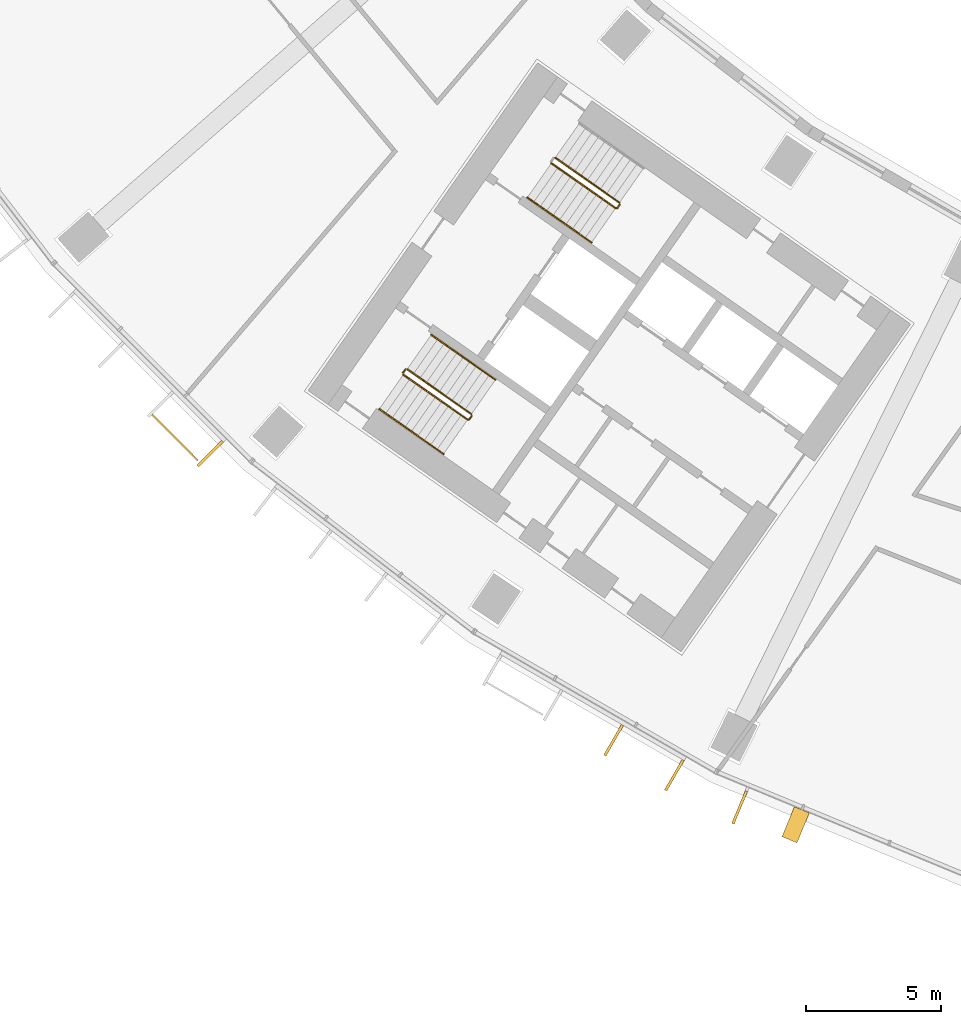
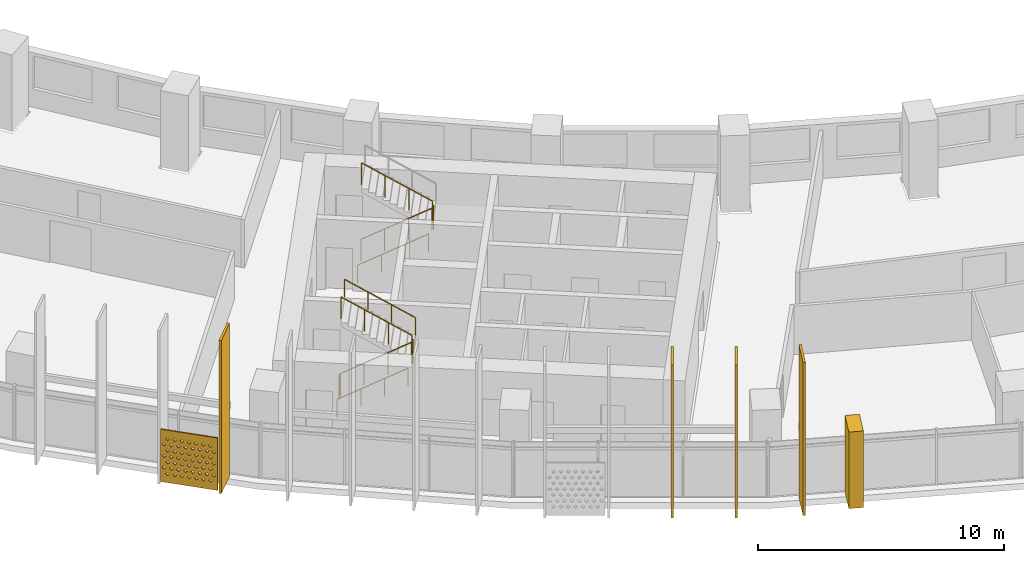
# One storey, part 25 of 33: 8 railings, 6 shading devices.
"""IFC4 building model written with IfcOpenShell, lengths in metres."""

from ifc_helpers import new_model, si_unit, direction, frame, origin, origin_2d, place, context, subcontext, project, spatial, polyline, rectangle, circle, outline, extrude, material, material_profile, profile_set, type_object, element, save


model = new_model("IFC4")

# Units and contexts
model_context = context("Model", 3, precision=1e-05, world=origin(), true_north=direction((0.0, 1.0)))
body_context = subcontext(model_context, "Body", "Model", "MODEL_VIEW")
ifc_project = project(units=[si_unit("LENGTHUNIT", "METRE"), si_unit("AREAUNIT", "SQUARE_METRE"), si_unit("VOLUMEUNIT", "CUBIC_METRE"), si_unit("PLANEANGLEUNIT", "RADIAN"), si_unit("MASSUNIT", "GRAM", prefix="KILO")], contexts=[model_context])

# Site, building, storey
site_placement = place(None, origin())
site = spatial("IfcSite", under=ifc_project, at=site_placement, CompositionType="ELEMENT")
building_placement = place(site_placement, origin())
building = spatial("IfcBuilding", under=site, at=building_placement, Name="Qamariyya Broadcast Tower", CompositionType="ELEMENT")
storey_placement = place(building_placement, frame((0.0, 0.0, 94.89990234375)))
storey = spatial("IfcBuildingStorey", under=building, at=storey_placement, Name="L20", CompositionType="ELEMENT", Elevation=94.89990234375)

# Shading devices
ifc_material_1 = material(Name="Steel S355 powder coated deep red", Category="steel")
shading_device_type_1 = type_object("IfcShadingDeviceType", Name="Deep red frame, powder coated steel box section", PredefinedType="USERDEFINED", material=ifc_material_1)
shading_device_1_placement = place(storey_placement, origin())
element("IfcShadingDevice", 1, at=shading_device_1_placement, inside=storey, type_object=shading_device_type_1, Name="e-frm-B2-F1-posta-L20", ObjectType="FRAME", PredefinedType="USERDEFINED", context=body_context, shape_type="SweptSolid", body=[
    extrude(outline(polyline([(-32.15625, -72.330322265625), (-32.615478515625, -73.43896484375), (-32.06103515625, -73.668701171875), (-31.601806640625, -72.56005859375), (-32.15625, -72.330322265625)])), origin(), (0.0, 0.0, 1.0), 3.800048828125),
])
ifc_material_2 = material(Name="Perforated glazed terracotta", Category="masonry")
ifc_material_profile_1 = material_profile(ifc_material_2, outline(polyline([(-1.199951171875, -1.300048828125), (1.199951171875, -1.300048828125), (1.199951171875, 1.300048828125), (-1.199951171875, 1.300048828125), (-1.199951171875, -1.300048828125)]), holes=[polyline([(-0.81494140625, -0.86669921875), (-0.89990234375, -0.78173828125), (-0.985107421875, -0.86669921875), (-0.89990234375, -0.95166015625), (-0.81494140625, -0.86669921875)]), polyline([(-0.514892578125, -0.86669921875), (-0.60009765625, -0.78173828125), (-0.68505859375, -0.86669921875), (-0.60009765625, -0.95166015625), (-0.514892578125, -0.86669921875)]), polyline([(-0.215087890625, -0.86669921875), (-0.300048828125, -0.78173828125), (-0.385009765625, -0.86669921875), (-0.300048828125, -0.95166015625), (-0.215087890625, -0.86669921875)]), polyline([(0.0849609375, -0.86669921875), (0.0, -0.78173828125), (-0.0849609375, -0.86669921875), (0.0, -0.95166015625), (0.0849609375, -0.86669921875)]), polyline([(0.385009765625, -0.86669921875), (0.300048828125, -0.78173828125), (0.215087890625, -0.86669921875), (0.300048828125, -0.95166015625), (0.385009765625, -0.86669921875)]), polyline([(0.68505859375, -0.86669921875), (0.60009765625, -0.78173828125), (0.514892578125, -0.86669921875), (0.60009765625, -0.95166015625), (0.68505859375, -0.86669921875)]), polyline([(0.985107421875, -0.86669921875), (0.89990234375, -0.78173828125), (0.81494140625, -0.86669921875), (0.89990234375, -0.95166015625), (0.985107421875, -0.86669921875)]), polyline([(-0.965087890625, -0.577880859375), (-1.050048828125, -0.49267578125), (-1.135009765625, -0.577880859375), (-1.050048828125, -0.662841796875), (-0.965087890625, -0.577880859375)]), polyline([(-0.6650390625, -0.577880859375), (-0.75, -0.49267578125), (-0.8349609375, -0.577880859375), (-0.75, -0.662841796875), (-0.6650390625, -0.577880859375)]), polyline([(-0.364990234375, -0.577880859375), (-0.449951171875, -0.49267578125), (-0.534912109375, -0.577880859375), (-0.449951171875, -0.662841796875), (-0.364990234375, -0.577880859375)]), polyline([(-0.06494140625, -0.577880859375), (-0.14990234375, -0.49267578125), (-0.235107421875, -0.577880859375), (-0.14990234375, -0.662841796875), (-0.06494140625, -0.577880859375)]), polyline([(0.235107421875, -0.577880859375), (0.14990234375, -0.49267578125), (0.06494140625, -0.577880859375), (0.14990234375, -0.662841796875), (0.235107421875, -0.577880859375)]), polyline([(0.534912109375, -0.577880859375), (0.449951171875, -0.49267578125), (0.364990234375, -0.577880859375), (0.449951171875, -0.662841796875), (0.534912109375, -0.577880859375)]), polyline([(0.8349609375, -0.577880859375), (0.75, -0.49267578125), (0.6650390625, -0.577880859375), (0.75, -0.662841796875), (0.8349609375, -0.577880859375)]), polyline([(1.135009765625, -0.577880859375), (1.050048828125, -0.49267578125), (0.965087890625, -0.577880859375), (1.050048828125, -0.662841796875), (1.135009765625, -0.577880859375)]), polyline([(-0.81494140625, -0.288818359375), (-0.89990234375, -0.203857421875), (-0.985107421875, -0.288818359375), (-0.89990234375, -0.373779296875), (-0.81494140625, -0.288818359375)]), polyline([(-0.514892578125, -0.288818359375), (-0.60009765625, -0.203857421875), (-0.68505859375, -0.288818359375), (-0.60009765625, -0.373779296875), (-0.514892578125, -0.288818359375)]), polyline([(-0.215087890625, -0.288818359375), (-0.300048828125, -0.203857421875), (-0.385009765625, -0.288818359375), (-0.300048828125, -0.373779296875), (-0.215087890625, -0.288818359375)]), polyline([(0.0849609375, -0.288818359375), (0.0, -0.203857421875), (-0.0849609375, -0.288818359375), (0.0, -0.373779296875), (0.0849609375, -0.288818359375)]), polyline([(0.385009765625, -0.288818359375), (0.300048828125, -0.203857421875), (0.215087890625, -0.288818359375), (0.300048828125, -0.373779296875), (0.385009765625, -0.288818359375)]), polyline([(0.68505859375, -0.288818359375), (0.60009765625, -0.203857421875), (0.514892578125, -0.288818359375), (0.60009765625, -0.373779296875), (0.68505859375, -0.288818359375)]), polyline([(0.985107421875, -0.288818359375), (0.89990234375, -0.203857421875), (0.81494140625, -0.288818359375), (0.89990234375, -0.373779296875), (0.985107421875, -0.288818359375)]), polyline([(-0.965087890625, 0.0), (-1.050048828125, 0.0849609375), (-1.135009765625, 0.0), (-1.050048828125, -0.0849609375), (-0.965087890625, 0.0)]), polyline([(-0.6650390625, 0.0), (-0.75, 0.0849609375), (-0.8349609375, 0.0), (-0.75, -0.0849609375), (-0.6650390625, 0.0)]), polyline([(-0.364990234375, 0.0), (-0.449951171875, 0.0849609375), (-0.534912109375, 0.0), (-0.449951171875, -0.0849609375), (-0.364990234375, 0.0)]), polyline([(-0.06494140625, 0.0), (-0.14990234375, 0.0849609375), (-0.235107421875, 0.0), (-0.14990234375, -0.0849609375), (-0.06494140625, 0.0)]), polyline([(0.235107421875, 0.0), (0.14990234375, 0.0849609375), (0.06494140625, 0.0), (0.14990234375, -0.0849609375), (0.235107421875, 0.0)]), polyline([(0.534912109375, 0.0), (0.449951171875, 0.0849609375), (0.364990234375, 0.0), (0.449951171875, -0.0849609375), (0.534912109375, 0.0)]), polyline([(0.8349609375, 0.0), (0.75, 0.0849609375), (0.6650390625, 0.0), (0.75, -0.0849609375), (0.8349609375, 0.0)]), polyline([(1.135009765625, 0.0), (1.050048828125, 0.0849609375), (0.965087890625, 0.0), (1.050048828125, -0.0849609375), (1.135009765625, 0.0)]), polyline([(-0.81494140625, 0.288818359375), (-0.89990234375, 0.373779296875), (-0.985107421875, 0.288818359375), (-0.89990234375, 0.203857421875), (-0.81494140625, 0.288818359375)]), polyline([(-0.514892578125, 0.288818359375), (-0.60009765625, 0.373779296875), (-0.68505859375, 0.288818359375), (-0.60009765625, 0.203857421875), (-0.514892578125, 0.288818359375)]), polyline([(-0.215087890625, 0.288818359375), (-0.300048828125, 0.373779296875), (-0.385009765625, 0.288818359375), (-0.300048828125, 0.203857421875), (-0.215087890625, 0.288818359375)]), polyline([(0.0849609375, 0.288818359375), (0.0, 0.373779296875), (-0.0849609375, 0.288818359375), (0.0, 0.203857421875), (0.0849609375, 0.288818359375)]), polyline([(0.385009765625, 0.288818359375), (0.300048828125, 0.373779296875), (0.215087890625, 0.288818359375), (0.300048828125, 0.203857421875), (0.385009765625, 0.288818359375)]), polyline([(0.68505859375, 0.288818359375), (0.60009765625, 0.373779296875), (0.514892578125, 0.288818359375), (0.60009765625, 0.203857421875), (0.68505859375, 0.288818359375)]), polyline([(0.985107421875, 0.288818359375), (0.89990234375, 0.373779296875), (0.81494140625, 0.288818359375), (0.89990234375, 0.203857421875), (0.985107421875, 0.288818359375)]), polyline([(-0.965087890625, 0.577880859375), (-1.050048828125, 0.662841796875), (-1.135009765625, 0.577880859375), (-1.050048828125, 0.49267578125), (-0.965087890625, 0.577880859375)]), polyline([(-0.6650390625, 0.577880859375), (-0.75, 0.662841796875), (-0.8349609375, 0.577880859375), (-0.75, 0.49267578125), (-0.6650390625, 0.577880859375)]), polyline([(-0.364990234375, 0.577880859375), (-0.449951171875, 0.662841796875), (-0.534912109375, 0.577880859375), (-0.449951171875, 0.49267578125), (-0.364990234375, 0.577880859375)]), polyline([(-0.06494140625, 0.577880859375), (-0.14990234375, 0.662841796875), (-0.235107421875, 0.577880859375), (-0.14990234375, 0.49267578125), (-0.06494140625, 0.577880859375)]), polyline([(0.235107421875, 0.577880859375), (0.14990234375, 0.662841796875), (0.06494140625, 0.577880859375), (0.14990234375, 0.49267578125), (0.235107421875, 0.577880859375)]), polyline([(0.534912109375, 0.577880859375), (0.449951171875, 0.662841796875), (0.364990234375, 0.577880859375), (0.449951171875, 0.49267578125), (0.534912109375, 0.577880859375)]), polyline([(0.8349609375, 0.577880859375), (0.75, 0.662841796875), (0.6650390625, 0.577880859375), (0.75, 0.49267578125), (0.8349609375, 0.577880859375)]), polyline([(1.135009765625, 0.577880859375), (1.050048828125, 0.662841796875), (0.965087890625, 0.577880859375), (1.050048828125, 0.49267578125), (1.135009765625, 0.577880859375)]), polyline([(-0.81494140625, 0.86669921875), (-0.89990234375, 0.95166015625), (-0.985107421875, 0.86669921875), (-0.89990234375, 0.78173828125), (-0.81494140625, 0.86669921875)]), polyline([(-0.514892578125, 0.86669921875), (-0.60009765625, 0.95166015625), (-0.68505859375, 0.86669921875), (-0.60009765625, 0.78173828125), (-0.514892578125, 0.86669921875)]), polyline([(-0.215087890625, 0.86669921875), (-0.300048828125, 0.95166015625), (-0.385009765625, 0.86669921875), (-0.300048828125, 0.78173828125), (-0.215087890625, 0.86669921875)]), polyline([(0.0849609375, 0.86669921875), (0.0, 0.95166015625), (-0.0849609375, 0.86669921875), (0.0, 0.78173828125), (0.0849609375, 0.86669921875)]), polyline([(0.385009765625, 0.86669921875), (0.300048828125, 0.95166015625), (0.215087890625, 0.86669921875), (0.300048828125, 0.78173828125), (0.385009765625, 0.86669921875)]), polyline([(0.68505859375, 0.86669921875), (0.60009765625, 0.95166015625), (0.514892578125, 0.86669921875), (0.60009765625, 0.78173828125), (0.68505859375, 0.86669921875)]), polyline([(0.985107421875, 0.86669921875), (0.89990234375, 0.95166015625), (0.81494140625, 0.86669921875), (0.89990234375, 0.78173828125), (0.985107421875, 0.86669921875)])]))
ifc_profile_set_1 = profile_set([ifc_material_profile_1], Name="Perforated glazed terracotta")
shading_device_type_2 = type_object("IfcShadingDeviceType", Name="Perforated terracotta screen 2400 x 2600", PredefinedType="USERDEFINED", material=ifc_profile_set_1)
shading_device_2_placement = place(storey_placement, frame((-55.05078125, -58.65234375, 1.35009765625), z_axis=(-0.709141608176, -0.705066081692, 0.0), x_axis=(0.705066081692, -0.709141608176, 0.0)))
element("IfcShadingDevice", 2, at=shading_device_2_placement, inside=storey, type_object=shading_device_type_2, Name="e-scr-L20-03-2", ObjectType="SCREEN", PredefinedType="USERDEFINED", context=body_context, shape_type="SweptSolid", body=[
    extrude(outline(polyline([(-1.199951171875, -1.300048828125), (1.199951171875, -1.300048828125), (1.199951171875, 1.300048828125), (-1.199951171875, 1.300048828125), (-1.199951171875, -1.300048828125)]), holes=[polyline([(-0.81494140625, -0.86669921875), (-0.89990234375, -0.78173828125), (-0.985107421875, -0.86669921875), (-0.89990234375, -0.95166015625), (-0.81494140625, -0.86669921875)]), polyline([(-0.514892578125, -0.86669921875), (-0.60009765625, -0.78173828125), (-0.68505859375, -0.86669921875), (-0.60009765625, -0.95166015625), (-0.514892578125, -0.86669921875)]), polyline([(-0.215087890625, -0.86669921875), (-0.300048828125, -0.78173828125), (-0.385009765625, -0.86669921875), (-0.300048828125, -0.95166015625), (-0.215087890625, -0.86669921875)]), polyline([(0.0849609375, -0.86669921875), (0.0, -0.78173828125), (-0.0849609375, -0.86669921875), (0.0, -0.95166015625), (0.0849609375, -0.86669921875)]), polyline([(0.385009765625, -0.86669921875), (0.300048828125, -0.78173828125), (0.215087890625, -0.86669921875), (0.300048828125, -0.95166015625), (0.385009765625, -0.86669921875)]), polyline([(0.68505859375, -0.86669921875), (0.60009765625, -0.78173828125), (0.514892578125, -0.86669921875), (0.60009765625, -0.95166015625), (0.68505859375, -0.86669921875)]), polyline([(0.985107421875, -0.86669921875), (0.89990234375, -0.78173828125), (0.81494140625, -0.86669921875), (0.89990234375, -0.95166015625), (0.985107421875, -0.86669921875)]), polyline([(-0.965087890625, -0.577880859375), (-1.050048828125, -0.49267578125), (-1.135009765625, -0.577880859375), (-1.050048828125, -0.662841796875), (-0.965087890625, -0.577880859375)]), polyline([(-0.6650390625, -0.577880859375), (-0.75, -0.49267578125), (-0.8349609375, -0.577880859375), (-0.75, -0.662841796875), (-0.6650390625, -0.577880859375)]), polyline([(-0.364990234375, -0.577880859375), (-0.449951171875, -0.49267578125), (-0.534912109375, -0.577880859375), (-0.449951171875, -0.662841796875), (-0.364990234375, -0.577880859375)]), polyline([(-0.06494140625, -0.577880859375), (-0.14990234375, -0.49267578125), (-0.235107421875, -0.577880859375), (-0.14990234375, -0.662841796875), (-0.06494140625, -0.577880859375)]), polyline([(0.235107421875, -0.577880859375), (0.14990234375, -0.49267578125), (0.06494140625, -0.577880859375), (0.14990234375, -0.662841796875), (0.235107421875, -0.577880859375)]), polyline([(0.534912109375, -0.577880859375), (0.449951171875, -0.49267578125), (0.364990234375, -0.577880859375), (0.449951171875, -0.662841796875), (0.534912109375, -0.577880859375)]), polyline([(0.8349609375, -0.577880859375), (0.75, -0.49267578125), (0.6650390625, -0.577880859375), (0.75, -0.662841796875), (0.8349609375, -0.577880859375)]), polyline([(1.135009765625, -0.577880859375), (1.050048828125, -0.49267578125), (0.965087890625, -0.577880859375), (1.050048828125, -0.662841796875), (1.135009765625, -0.577880859375)]), polyline([(-0.81494140625, -0.288818359375), (-0.89990234375, -0.203857421875), (-0.985107421875, -0.288818359375), (-0.89990234375, -0.373779296875), (-0.81494140625, -0.288818359375)]), polyline([(-0.514892578125, -0.288818359375), (-0.60009765625, -0.203857421875), (-0.68505859375, -0.288818359375), (-0.60009765625, -0.373779296875), (-0.514892578125, -0.288818359375)]), polyline([(-0.215087890625, -0.288818359375), (-0.300048828125, -0.203857421875), (-0.385009765625, -0.288818359375), (-0.300048828125, -0.373779296875), (-0.215087890625, -0.288818359375)]), polyline([(0.0849609375, -0.288818359375), (0.0, -0.203857421875), (-0.0849609375, -0.288818359375), (0.0, -0.373779296875), (0.0849609375, -0.288818359375)]), polyline([(0.385009765625, -0.288818359375), (0.300048828125, -0.203857421875), (0.215087890625, -0.288818359375), (0.300048828125, -0.373779296875), (0.385009765625, -0.288818359375)]), polyline([(0.68505859375, -0.288818359375), (0.60009765625, -0.203857421875), (0.514892578125, -0.288818359375), (0.60009765625, -0.373779296875), (0.68505859375, -0.288818359375)]), polyline([(0.985107421875, -0.288818359375), (0.89990234375, -0.203857421875), (0.81494140625, -0.288818359375), (0.89990234375, -0.373779296875), (0.985107421875, -0.288818359375)]), polyline([(-0.965087890625, 0.0), (-1.050048828125, 0.0849609375), (-1.135009765625, 0.0), (-1.050048828125, -0.0849609375), (-0.965087890625, 0.0)]), polyline([(-0.6650390625, 0.0), (-0.75, 0.0849609375), (-0.8349609375, 0.0), (-0.75, -0.0849609375), (-0.6650390625, 0.0)]), polyline([(-0.364990234375, 0.0), (-0.449951171875, 0.0849609375), (-0.534912109375, 0.0), (-0.449951171875, -0.0849609375), (-0.364990234375, 0.0)]), polyline([(-0.06494140625, 0.0), (-0.14990234375, 0.0849609375), (-0.235107421875, 0.0), (-0.14990234375, -0.0849609375), (-0.06494140625, 0.0)]), polyline([(0.235107421875, 0.0), (0.14990234375, 0.0849609375), (0.06494140625, 0.0), (0.14990234375, -0.0849609375), (0.235107421875, 0.0)]), polyline([(0.534912109375, 0.0), (0.449951171875, 0.0849609375), (0.364990234375, 0.0), (0.449951171875, -0.0849609375), (0.534912109375, 0.0)]), polyline([(0.8349609375, 0.0), (0.75, 0.0849609375), (0.6650390625, 0.0), (0.75, -0.0849609375), (0.8349609375, 0.0)]), polyline([(1.135009765625, 0.0), (1.050048828125, 0.0849609375), (0.965087890625, 0.0), (1.050048828125, -0.0849609375), (1.135009765625, 0.0)]), polyline([(-0.81494140625, 0.288818359375), (-0.89990234375, 0.373779296875), (-0.985107421875, 0.288818359375), (-0.89990234375, 0.203857421875), (-0.81494140625, 0.288818359375)]), polyline([(-0.514892578125, 0.288818359375), (-0.60009765625, 0.373779296875), (-0.68505859375, 0.288818359375), (-0.60009765625, 0.203857421875), (-0.514892578125, 0.288818359375)]), polyline([(-0.215087890625, 0.288818359375), (-0.300048828125, 0.373779296875), (-0.385009765625, 0.288818359375), (-0.300048828125, 0.203857421875), (-0.215087890625, 0.288818359375)]), polyline([(0.0849609375, 0.288818359375), (0.0, 0.373779296875), (-0.0849609375, 0.288818359375), (0.0, 0.203857421875), (0.0849609375, 0.288818359375)]), polyline([(0.385009765625, 0.288818359375), (0.300048828125, 0.373779296875), (0.215087890625, 0.288818359375), (0.300048828125, 0.203857421875), (0.385009765625, 0.288818359375)]), polyline([(0.68505859375, 0.288818359375), (0.60009765625, 0.373779296875), (0.514892578125, 0.288818359375), (0.60009765625, 0.203857421875), (0.68505859375, 0.288818359375)]), polyline([(0.985107421875, 0.288818359375), (0.89990234375, 0.373779296875), (0.81494140625, 0.288818359375), (0.89990234375, 0.203857421875), (0.985107421875, 0.288818359375)]), polyline([(-0.965087890625, 0.577880859375), (-1.050048828125, 0.662841796875), (-1.135009765625, 0.577880859375), (-1.050048828125, 0.49267578125), (-0.965087890625, 0.577880859375)]), polyline([(-0.6650390625, 0.577880859375), (-0.75, 0.662841796875), (-0.8349609375, 0.577880859375), (-0.75, 0.49267578125), (-0.6650390625, 0.577880859375)]), polyline([(-0.364990234375, 0.577880859375), (-0.449951171875, 0.662841796875), (-0.534912109375, 0.577880859375), (-0.449951171875, 0.49267578125), (-0.364990234375, 0.577880859375)]), polyline([(-0.06494140625, 0.577880859375), (-0.14990234375, 0.662841796875), (-0.235107421875, 0.577880859375), (-0.14990234375, 0.49267578125), (-0.06494140625, 0.577880859375)]), polyline([(0.235107421875, 0.577880859375), (0.14990234375, 0.662841796875), (0.06494140625, 0.577880859375), (0.14990234375, 0.49267578125), (0.235107421875, 0.577880859375)]), polyline([(0.534912109375, 0.577880859375), (0.449951171875, 0.662841796875), (0.364990234375, 0.577880859375), (0.449951171875, 0.49267578125), (0.534912109375, 0.577880859375)]), polyline([(0.8349609375, 0.577880859375), (0.75, 0.662841796875), (0.6650390625, 0.577880859375), (0.75, 0.49267578125), (0.8349609375, 0.577880859375)]), polyline([(1.135009765625, 0.577880859375), (1.050048828125, 0.662841796875), (0.965087890625, 0.577880859375), (1.050048828125, 0.49267578125), (1.135009765625, 0.577880859375)]), polyline([(-0.81494140625, 0.86669921875), (-0.89990234375, 0.95166015625), (-0.985107421875, 0.86669921875), (-0.89990234375, 0.78173828125), (-0.81494140625, 0.86669921875)]), polyline([(-0.514892578125, 0.86669921875), (-0.60009765625, 0.95166015625), (-0.68505859375, 0.86669921875), (-0.60009765625, 0.78173828125), (-0.514892578125, 0.86669921875)]), polyline([(-0.215087890625, 0.86669921875), (-0.300048828125, 0.95166015625), (-0.385009765625, 0.86669921875), (-0.300048828125, 0.78173828125), (-0.215087890625, 0.86669921875)]), polyline([(0.0849609375, 0.86669921875), (0.0, 0.95166015625), (-0.0849609375, 0.86669921875), (0.0, 0.78173828125), (0.0849609375, 0.86669921875)]), polyline([(0.385009765625, 0.86669921875), (0.300048828125, 0.95166015625), (0.215087890625, 0.86669921875), (0.300048828125, 0.78173828125), (0.385009765625, 0.86669921875)]), polyline([(0.68505859375, 0.86669921875), (0.60009765625, 0.95166015625), (0.514892578125, 0.86669921875), (0.60009765625, 0.78173828125), (0.68505859375, 0.86669921875)]), polyline([(0.985107421875, 0.86669921875), (0.89990234375, 0.95166015625), (0.81494140625, 0.86669921875), (0.89990234375, 0.78173828125), (0.985107421875, 0.86669921875)])]), origin(), (0.0, 0.0, 1.0), 0.059814453125),
])

# Railings
ifc_material_3 = material(Name="Painted steel", Category="steel")
railing_type_1 = type_object("IfcRailingType", Name="Stair guard", PredefinedType="GUARDRAIL", material=ifc_material_3)
railing_1_placement = place(storey_placement, frame((-41.146728515625, -48.52490234375, 0.1728515625)))
element("IfcRailing", 3, at=railing_1_placement, inside=storey, type_object=railing_type_1, Name="L20 ST-W2 stair guard 1", PredefinedType="GUARDRAIL", context=body_context, shape_type="SweptSolid", body=[
    extrude(circle(Radius=0.02392578125, at=origin_2d()), frame((0.0, 0.0, 1.076171875), z_axis=(0.703770094002, -0.492783725636, 0.511734163933), x_axis=(0.573575343427, 0.819152809562, 0.0)), (0.0, 0.0, 1.0), 3.37548828125),
    extrude(circle(Radius=0.02392578125, at=origin_2d()), frame((2.37548828125, -1.663330078125, 2.80322265625), z_axis=(0.985059694769, 0.172213233351, 0.0), x_axis=(-0.172213233351, 0.985059694769, 0.0)), (0.0, 0.0, 1.0), 0.07080078125),
    extrude(circle(Radius=0.02392578125, at=origin_2d()), frame((2.4453125, -1.651123046875, 2.80322265625), z_axis=(0.572588637393, 0.819842821722, 0.0), x_axis=(-0.819842821722, 0.572588637393, 0.0)), (0.0, 0.0, 1.0), 0.150146484375),
    extrude(circle(Radius=0.02099609375, at=origin_2d()), origin(), (0.0, 0.0, 1.0), 1.052001953125),
    extrude(circle(Radius=0.02099609375, at=origin_2d()), frame((0.791748046875, -0.554443359375, 0.57568359375)), (0.0, 0.0, 1.0), 1.052001953125),
    extrude(circle(Radius=0.02099609375, at=origin_2d()), frame((1.583740234375, -1.10888671875, 1.151611328125)), (0.0, 0.0, 1.0), 1.052001953125),
    extrude(circle(Radius=0.02099609375, at=origin_2d()), frame((2.37548828125, -1.663330078125, 1.727294921875)), (0.0, 0.0, 1.0), 1.052001953125),
    extrude(circle(Radius=0.02099609375, at=origin_2d()), frame((2.4453125, -1.651123046875, 1.727294921875)), (0.0, 0.0, 1.0), 1.052001953125),
    extrude(circle(Radius=0.02099609375, at=origin_2d()), frame((2.53125, -1.528076171875, 1.727294921875)), (0.0, 0.0, 1.0), 1.052001953125),
])
railing_2_placement = place(storey_placement, frame((-38.627685546875, -49.9833984375, 2.07275390625)))
element("IfcRailing", 4, at=railing_2_placement, inside=storey, type_object=railing_type_1, Name="L20 ST-W2 stair guard 2", PredefinedType="GUARDRAIL", context=body_context, shape_type="SweptSolid", body=[
    extrude(circle(Radius=0.02392578125, at=origin_2d()), frame((0.0, 0.0, 1.076171875), z_axis=(-0.703770094002, 0.492783725636, 0.511734163933), x_axis=(-0.573575343427, -0.819152809562, 0.0)), (0.0, 0.0, 1.0), 3.37548828125),
    extrude(circle(Radius=0.02099609375, at=origin_2d()), origin(), (0.0, 0.0, 1.0), 1.052001953125),
    extrude(circle(Radius=0.02099609375, at=origin_2d()), frame((-0.791748046875, 0.554443359375, 0.57568359375)), (0.0, 0.0, 1.0), 1.052001953125),
    extrude(circle(Radius=0.02099609375, at=origin_2d()), frame((-1.583740234375, 1.10888671875, 1.151611328125)), (0.0, 0.0, 1.0), 1.052001953125),
    extrude(circle(Radius=0.02099609375, at=origin_2d()), frame((-2.37548828125, 1.663330078125, 1.727294921875)), (0.0, 0.0, 1.0), 1.052001953125),
])
railing_3_placement = place(storey_placement, frame((-46.624267578125, -56.34765625, 0.1728515625)))
element("IfcRailing", 5, at=railing_3_placement, inside=storey, type_object=railing_type_1, Name="L20 ST-W1 stair guard 1", PredefinedType="GUARDRAIL", context=body_context, shape_type="SweptSolid", body=[
    extrude(circle(Radius=0.02392578125, at=origin_2d()), frame((0.0, 0.0, 1.076171875), z_axis=(0.703745009021, -0.492838488332, 0.511715923826), x_axis=(0.573631830683, 0.819113253969, 0.0)), (0.0, 0.0, 1.0), 3.37548828125),
    extrude(circle(Radius=0.02392578125, at=origin_2d()), frame((2.37548828125, -1.66357421875, 2.80322265625), z_axis=(0.984363469884, 0.176149252506, 0.0), x_axis=(-0.176149252506, 0.984363469884, 0.0)), (0.0, 0.0, 1.0), 0.07080078125),
    extrude(circle(Radius=0.02392578125, at=origin_2d()), frame((2.445068359375, -1.651123046875, 2.80322265625), z_axis=(0.574444878118, 0.818543268254, 0.0), x_axis=(-0.818543268254, 0.574444878118, 0.0)), (0.0, 0.0, 1.0), 0.150146484375),
    extrude(circle(Radius=0.02099609375, at=origin_2d()), origin(), (0.0, 0.0, 1.0), 1.052001953125),
    extrude(circle(Radius=0.02099609375, at=origin_2d()), frame((0.791748046875, -0.554443359375, 0.57568359375)), (0.0, 0.0, 1.0), 1.052001953125),
    extrude(circle(Radius=0.02099609375, at=origin_2d()), frame((1.583740234375, -1.109130859375, 1.151611328125)), (0.0, 0.0, 1.0), 1.052001953125),
    extrude(circle(Radius=0.02099609375, at=origin_2d()), frame((2.37548828125, -1.66357421875, 1.727294921875)), (0.0, 0.0, 1.0), 1.052001953125),
    extrude(circle(Radius=0.02099609375, at=origin_2d()), frame((2.445068359375, -1.651123046875, 1.727294921875)), (0.0, 0.0, 1.0), 1.052001953125),
    extrude(circle(Radius=0.02099609375, at=origin_2d()), frame((2.53125, -1.5283203125, 1.727294921875)), (0.0, 0.0, 1.0), 1.052001953125),
])
railing_4_placement = place(storey_placement, frame((-44.10546875, -57.806396484375, 2.07275390625)))
element("IfcRailing", 6, at=railing_4_placement, inside=storey, type_object=railing_type_1, Name="L20 ST-W1 stair guard 2", PredefinedType="GUARDRAIL", context=body_context, shape_type="SweptSolid", body=[
    extrude(circle(Radius=0.02392578125, at=origin_2d()), frame((0.0, 0.0, 1.076171875), z_axis=(-0.703770094002, 0.492783725636, 0.511734163933), x_axis=(-0.573575343427, -0.819152809562, 0.0)), (0.0, 0.0, 1.0), 3.37548828125),
    extrude(circle(Radius=0.02099609375, at=origin_2d()), origin(), (0.0, 0.0, 1.0), 1.052001953125),
    extrude(circle(Radius=0.02099609375, at=origin_2d()), frame((-0.791748046875, 0.554443359375, 0.57568359375)), (0.0, 0.0, 1.0), 1.052001953125),
    extrude(circle(Radius=0.02099609375, at=origin_2d()), frame((-1.583740234375, 1.10888671875, 1.151611328125)), (0.0, 0.0, 1.0), 1.052001953125),
    extrude(circle(Radius=0.02099609375, at=origin_2d()), frame((-2.37548828125, 1.663330078125, 1.727294921875)), (0.0, 0.0, 1.0), 1.052001953125),
])
railing_5_placement = place(storey_placement, frame((-46.63671875, -56.278076171875, 0.0)))
element("IfcRailing", 7, at=railing_5_placement, inside=storey, type_object=railing_type_1, Name="L20 ST-W1 stair guard 3", PredefinedType="GUARDRAIL", context=body_context, shape_type="SweptSolid", body=[
    extrude(circle(Radius=0.02392578125, at=origin_2d()), frame((0.0, 0.0, 1.076171875), z_axis=(0.574444878118, 0.818543268254, 0.0), x_axis=(-0.818543268254, 0.574444878118, 0.0)), (0.0, 0.0, 1.0), 0.150146484375),
    extrude(circle(Radius=0.02099609375, at=origin_2d()), origin(), (0.0, 0.0, 1.0), 1.052001953125),
    extrude(circle(Radius=0.02099609375, at=origin_2d()), frame((0.086181640625, 0.122802734375, 0.0)), (0.0, 0.0, 1.0), 1.052001953125),
])
ifc_material_4 = material(Name="Stainless steel", Category="steel")
railing_type_2 = type_object("IfcRailingType", Name="Stair handrail", PredefinedType="HANDRAIL", material=ifc_material_4)
railing_6_placement = place(storey_placement, frame((-42.03564453125, -49.79443359375, 0.1728515625)))
element("IfcRailing", 8, at=railing_6_placement, inside=storey, type_object=railing_type_2, Name="L20 ST-W2 stair handrail 1", PredefinedType="HANDRAIL", context=body_context, shape_type="SweptSolid", body=[
    extrude(circle(Radius=0.02392578125, at=origin_2d()), frame((0.0, 0.0, 0.8759765625), z_axis=(0.703745009021, -0.492838488332, 0.511715923826), x_axis=(0.573631830683, 0.819113253969, 0.0)), (0.0, 0.0, 1.0), 3.37548828125),
    extrude(circle(Radius=0.02099609375, at=origin_2d()), origin(), (0.0, 0.0, 1.0), 0.851806640625),
    extrude(circle(Radius=0.02099609375, at=origin_2d()), frame((0.791748046875, -0.554443359375, 0.57568359375)), (0.0, 0.0, 1.0), 0.851806640625),
    extrude(circle(Radius=0.02099609375, at=origin_2d()), frame((1.583740234375, -1.109130859375, 1.151611328125)), (0.0, 0.0, 1.0), 0.851806640625),
    extrude(circle(Radius=0.02099609375, at=origin_2d()), frame((2.37548828125, -1.66357421875, 1.727294921875)), (0.0, 0.0, 1.0), 0.851806640625),
])
railing_7_placement = place(storey_placement, frame((-47.513427734375, -57.617431640625, 0.1728515625)))
element("IfcRailing", 9, at=railing_7_placement, inside=storey, type_object=railing_type_2, Name="L20 ST-W1 stair handrail 1", PredefinedType="HANDRAIL", context=body_context, shape_type="SweptSolid", body=[
    extrude(circle(Radius=0.02392578125, at=origin_2d()), frame((0.0, 0.0, 0.8759765625), z_axis=(0.703770094002, -0.492783725636, 0.511734163933), x_axis=(0.573575343427, 0.819152809562, 0.0)), (0.0, 0.0, 1.0), 3.37548828125),
    extrude(circle(Radius=0.02099609375, at=origin_2d()), origin(), (0.0, 0.0, 1.0), 0.851806640625),
    extrude(circle(Radius=0.02099609375, at=origin_2d()), frame((0.791748046875, -0.554443359375, 0.57568359375)), (0.0, 0.0, 1.0), 0.851806640625),
    extrude(circle(Radius=0.02099609375, at=origin_2d()), frame((1.583740234375, -1.10888671875, 1.151611328125)), (0.0, 0.0, 1.0), 0.851806640625),
    extrude(circle(Radius=0.02099609375, at=origin_2d()), frame((2.37548828125, -1.663330078125, 1.727294921875)), (0.0, 0.0, 1.0), 0.851806640625),
])
railing_8_placement = place(storey_placement, frame((-43.21630859375, -56.53662109375, 2.07275390625)))
element("IfcRailing", 10, at=railing_8_placement, inside=storey, type_object=railing_type_2, Name="L20 ST-W1 stair handrail 2", PredefinedType="HANDRAIL", context=body_context, shape_type="SweptSolid", body=[
    extrude(circle(Radius=0.02392578125, at=origin_2d()), frame((0.0, 0.0, 0.8759765625), z_axis=(-0.703770094002, 0.492783725636, 0.511734163933), x_axis=(-0.573575343427, -0.819152809562, 0.0)), (0.0, 0.0, 1.0), 3.37548828125),
    extrude(circle(Radius=0.02099609375, at=origin_2d()), origin(), (0.0, 0.0, 1.0), 0.851806640625),
    extrude(circle(Radius=0.02099609375, at=origin_2d()), frame((-0.791748046875, 0.554443359375, 0.57568359375)), (0.0, 0.0, 1.0), 0.851806640625),
    extrude(circle(Radius=0.02099609375, at=origin_2d()), frame((-1.583740234375, 1.10888671875, 1.151611328125)), (0.0, 0.0, 1.0), 0.851806640625),
    extrude(circle(Radius=0.02099609375, at=origin_2d()), frame((-2.37548828125, 1.663330078125, 1.727294921875)), (0.0, 0.0, 1.0), 0.851806640625),
])

# Shading devices
ifc_material_5 = material(Name="Glazed terracotta", Category="masonry")
ifc_material_profile_2 = material_profile(ifc_material_5, rectangle(XDim=1.300048828125, YDim=0.10009765625, at=origin_2d()))
ifc_profile_set_2 = profile_set([ifc_material_profile_2], Name="Glazed terracotta")
shading_device_type_3 = type_object("IfcShadingDeviceType", Name="Terracotta fin 100 x 1300", PredefinedType="USERDEFINED", material=ifc_profile_set_2)
for number, where, z_axis, x_axis, name in (
    (11, (-53.7685546875, -59.269775390625, 0.0), (0.0, 0.0, 1.0), (-0.707106781187, -0.707106781187, 0.0), "e-fin-L20-03-3"),
    (12, (-38.84228515625, -69.869873046875, 0.0), (0.0, 0.0, 1.0), (-0.5, -0.866025403784, 0.0), "e-fin-L20-05-2"),
    (13, (-36.596435546875, -71.16650390625, 0.0), (0.0, 0.0, 1.0), (-0.5, -0.866025403784, 0.0), "e-fin-L20-05-3"),
    (14, (-34.181640625, -72.357421875, 0.0), (0.0, 0.0, 1.0), (-0.382683432365, -0.923879532511, 0.0), "e-fin-L20-06-0"),
):
    element("IfcShadingDevice", number, at=place(storey_placement, frame(where, z_axis=z_axis, x_axis=x_axis)), inside=storey, type_object=shading_device_type_3, Name=name, ObjectType="FIN", PredefinedType="USERDEFINED", context=body_context, shape_type="SweptSolid", body=[
        extrude(rectangle(XDim=1.300048828125, YDim=0.10009765625, at=origin_2d()), origin(), (0.0, 0.0, 1.0), 7.60009765625),
    ])

save(model, "model.ifc")
